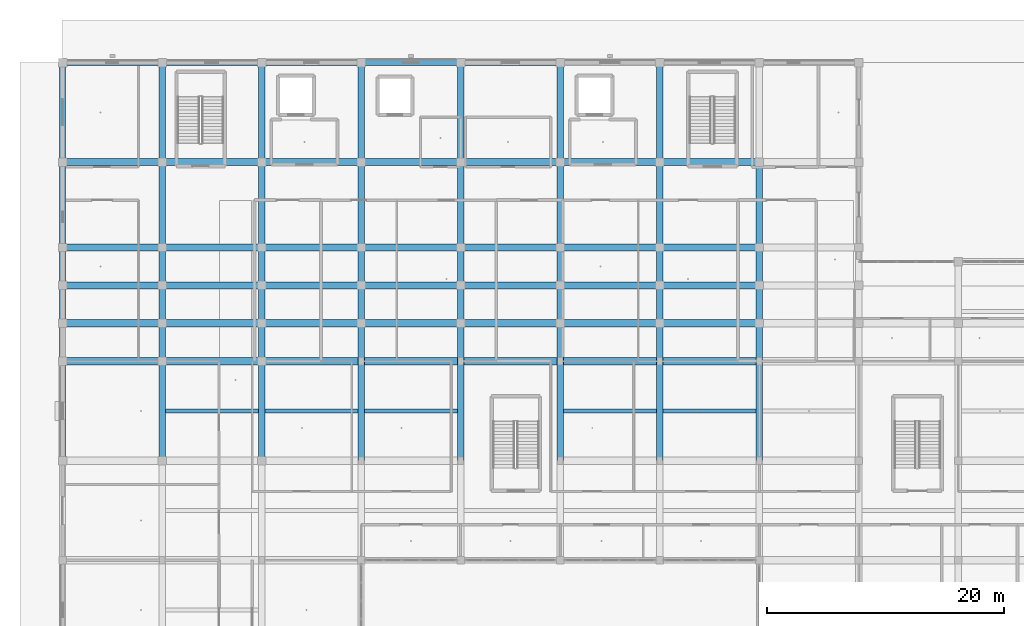
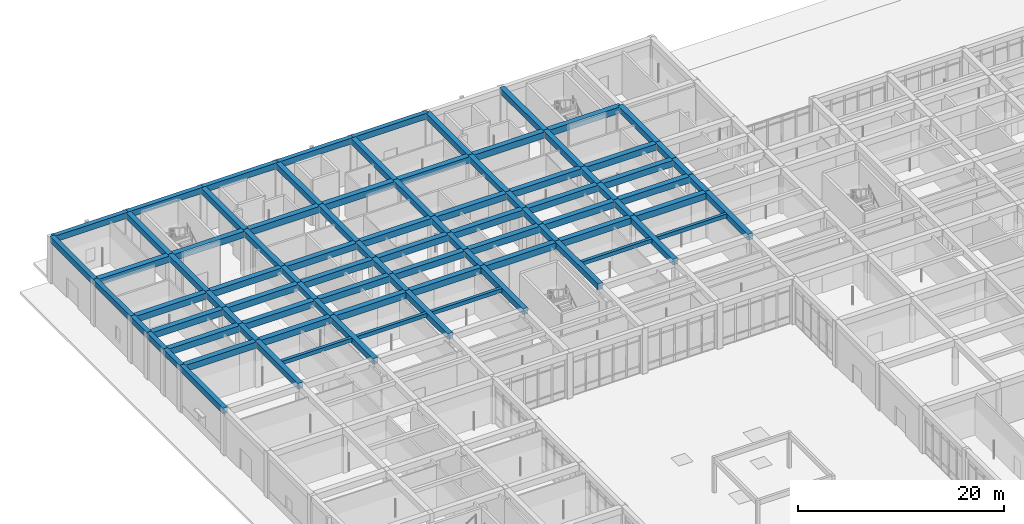
# One storey, part 29 of 167: 92 beams.
"""IFC4 building model written with IfcOpenShell, lengths in metres."""

import ifcopenshell
import ifcopenshell.guid

model = None  # the IFC model being written
_history = None  # IfcOwnerHistory: only IFC2X3 demands one
_inside = {}  # id of a spatial element -> (the spatial element, [elements in it])
_under = {}  # id of a project, library or spatial element -> (it, [spatial elements below it])
_declared = {}  # id of a project -> (the project, [libraries it declares])
_typed = {}  # id of a type object -> (the type object, [elements of that type])
_made_of = {}  # id of a material, layer set ... -> (it, [elements and type objects made of it])


def new_model(schema):
    """Start an empty IFC model of exactly this schema.

    Asked for "IFC4X3", IfcOpenShell would pick the latest addendum, in which some entities
    have other attributes; the version numbers below select the first issue.
    IFC2X3 requires an IfcOwnerHistory on every rooted entity: one is made here for all.
    """
    global model, _history
    if schema == "IFC4X3":
        model = ifcopenshell.file(schema_version=(4, 3, 0, 0))
    else:
        model = ifcopenshell.file(schema=schema)
    _inside.clear()
    _under.clear()
    _declared.clear()
    _typed.clear()
    _made_of.clear()
    _history = None
    if model.schema == "IFC2X3":
        org = make("IfcOrganization", Name="unknown")
        user = make(
            "IfcPersonAndOrganization",
            ThePerson=make("IfcPerson", FamilyName="unknown"),
            TheOrganization=org,
        )
        app = make(
            "IfcApplication",
            ApplicationDeveloper=org,
            Version="unknown",
            ApplicationFullName="unknown",
            ApplicationIdentifier="unknown",
        )
        _history = make(
            "IfcOwnerHistory",
            OwningUser=user,
            OwningApplication=app,
            ChangeAction="ADDED",
            CreationDate=0,
        )
    return model


def make(cls, **values):
    """One entity of the class cls with the attributes given. An attribute that is None is left unset."""
    return model.create_entity(
        cls, **{name: value for name, value in values.items() if value is not None}
    )


def rooted(cls, **values):
    """An entity with a GlobalId (a new one), such as an element, a storey or a relation."""
    return make(cls, GlobalId=ifcopenshell.guid.new(), OwnerHistory=_history, **values)


def si_unit(unit_type, name, prefix=None):
    """IfcSIUnit, for example si_unit("LENGTHUNIT", "METRE", prefix="MILLI")."""
    return make("IfcSIUnit", UnitType=unit_type, Prefix=prefix, Name=name)


def assignment(units):
    """IfcUnitAssignment: the units of a project."""
    return None if units is None else make("IfcUnitAssignment", Units=units)


def point(xyz):
    """IfcCartesianPoint."""
    return None if xyz is None else make("IfcCartesianPoint", Coordinates=xyz)


def direction(xyz):
    """IfcDirection."""
    return None if xyz is None else make("IfcDirection", DirectionRatios=xyz)


def frame(location, z_axis=None, x_axis=None):
    """IfcAxis2Placement3D, a coordinate frame: its origin and axes. An axis left out is left unset."""
    return make(
        "IfcAxis2Placement3D",
        Location=point(location),
        Axis=direction(z_axis),
        RefDirection=direction(x_axis),
    )


def frame_2d(location, x_axis=None):
    """IfcAxis2Placement2D, a coordinate frame in the plane: its origin and x axis."""
    return make(
        "IfcAxis2Placement2D", Location=point(location), RefDirection=direction(x_axis)
    )


def origin():
    """The frame at (0, 0, 0) with its axes left unset."""
    return frame((0.0, 0.0, 0.0))


def origin_2d():
    """The frame at (0, 0) in the plane with its x axis left unset."""
    return frame_2d((0.0, 0.0))


def place(relative_to, where):
    """IfcLocalPlacement: puts the frame where relative to a parent placement (None: the world)."""
    return make(
        "IfcLocalPlacement", PlacementRelTo=relative_to, RelativePlacement=where
    )


def context(
    kind, dimensions, precision=None, world=None, true_north=None, identifier=None
):
    """IfcGeometricRepresentationContext, for example the 3D "Model" context."""
    return make(
        "IfcGeometricRepresentationContext",
        ContextIdentifier=identifier,
        ContextType=kind,
        CoordinateSpaceDimension=dimensions,
        Precision=precision,
        WorldCoordinateSystem=world,
        TrueNorth=true_north,
    )


def subcontext(parent, identifier, kind, view, scale=None):
    """IfcGeometricRepresentationSubContext, for example "Body" below "Model"."""
    return make(
        "IfcGeometricRepresentationSubContext",
        ContextIdentifier=identifier,
        ContextType=kind,
        ParentContext=parent,
        TargetScale=scale,
        TargetView=view,
    )


def project(units=None, contexts=None):
    """IfcProject with its units and contexts."""
    return rooted(
        "IfcProject",
        Name="project",
        RepresentationContexts=contexts,
        UnitsInContext=assignment(units),
    )


def spatial(cls, under=None, at=None, **own):
    """A site, building, storey or space (cls), placed at a placement, below another one or the project."""
    s = rooted(cls, ObjectPlacement=at, **own)
    if under is not None:
        _under.setdefault(under.id(), (under, []))[1].append(s)
    return s


def profile(cls, at=None, kind="AREA", **sizes):
    """A parametric profile (cls). Its sizes go by their IFC names, for example OverallWidth=200.0."""
    return make(cls, ProfileType=kind, Position=at, **sizes)


def rectangle(**sizes):
    """IfcRectangleProfileDef."""
    return profile("IfcRectangleProfileDef", **sizes)


def extrude(swept, where, along, depth):
    """IfcExtrudedAreaSolid: the profile swept, set in the frame where, extruded along a direction by depth."""
    return make(
        "IfcExtrudedAreaSolid",
        SweptArea=swept,
        Position=where,
        ExtrudedDirection=direction(along),
        Depth=depth,
    )


def shape(context_of_items, identifier, shape_type, items):
    """IfcShapeRepresentation: the items that make up one representation, for example the "Body"."""
    return make(
        "IfcShapeRepresentation",
        ContextOfItems=context_of_items,
        RepresentationIdentifier=identifier,
        RepresentationType=shape_type,
        Items=items,
    )


def material(Name=None, Category=None):
    """IfcMaterial."""
    return make("IfcMaterial", Name=Name, Category=Category)


def material_profile(
    of_material, cross_section, Name=None, Category=None, Priority=None
):
    """IfcMaterialProfile: a cross section and its material."""
    return make(
        "IfcMaterialProfile",
        Name=Name,
        Material=of_material,
        Profile=cross_section,
        Priority=Priority,
        Category=Category,
    )


def profile_set(profiles, Name=None, composite=None):
    """IfcMaterialProfileSet."""
    return make(
        "IfcMaterialProfileSet",
        Name=Name,
        MaterialProfiles=profiles,
        CompositeProfile=composite,
    )


def made_of(thing, what):
    """Note that an element or type object is made of a material, layer set ...; save() writes the relation."""
    if what is not None:
        _made_of.setdefault(what.id(), (what, []))[1].append(thing)
    return thing


def type_object(cls, material=None, **own):
    """A type object (cls), such as IfcWallType, which elements share."""
    return made_of(rooted(cls, **own), material)


def element(
    cls,
    number,
    at=None,
    inside=None,
    cuts=None,
    type_object=None,
    material=None,
    context=None,
    identifier="Body",
    shape_type=None,
    held_by="IfcProductDefinitionShape",
    body=None,
    shapes=None,
    **own,
):
    """One element of the class cls, such as IfcWall. Its Tag is "e" and its number.

    at: its placement. inside: the storey or other place that contains it. cuts: it is an
    opening in that element (IfcRelVoidsElement). A single representation is given by context,
    identifier, shape_type and body (its items); several are given by shapes. held_by: the class
    of the entity that holds the representations. save() writes the other relations.
    """
    e = rooted(cls, Tag="e%d" % number, ObjectPlacement=at, **own)
    if body is not None:
        shapes = [shape(context, identifier, shape_type, body)]
    if shapes is not None:
        e.Representation = make(held_by, Representations=shapes)
    if inside is not None:
        _inside.setdefault(inside.id(), (inside, []))[1].append(e)
    if cuts is not None:
        rooted(
            "IfcRelVoidsElement", RelatingBuildingElement=cuts, RelatedOpeningElement=e
        )
    if type_object is not None:
        _typed.setdefault(type_object.id(), (type_object, []))[1].append(e)
    return made_of(e, material)


def aggregate(whole, parts):
    """IfcRelAggregates: a whole, such as a stair, and the parts it consists of."""
    return rooted("IfcRelAggregates", RelatingObject=whole, RelatedObjects=parts)


def save(model, path):
    """Write the relations noted so far, then the file.

    IfcRelAggregates (storeys below a building ...), IfcRelContainedInSpatialStructure (elements
    in a storey), IfcRelDefinesByType, IfcRelAssociatesMaterial and IfcRelDeclares: one each for
    every whole, place, type object, material and project.
    """
    for whole, parts in _under.values():
        aggregate(whole, parts)
    for where, things in _inside.values():
        rooted(
            "IfcRelContainedInSpatialStructure",
            RelatedElements=things,
            RelatingStructure=where,
        )
    for kind, things in _typed.values():
        rooted("IfcRelDefinesByType", RelatedObjects=things, RelatingType=kind)
    for what, things in _made_of.values():
        rooted("IfcRelAssociatesMaterial", RelatedObjects=things, RelatingMaterial=what)
    for by, libraries in _declared.values():
        rooted("IfcRelDeclares", RelatingContext=by, RelatedDefinitions=libraries)
    model.write(path)


model = new_model("IFC4")

# Units and contexts
model_context = context("Model", 3, precision=1e-05, world=origin(), true_north=direction((0.0, 1.0)))
body_context = subcontext(model_context, "Body", "Model", "MODEL_VIEW")
ifc_project = project(units=[si_unit("LENGTHUNIT", "METRE"), si_unit("AREAUNIT", "SQUARE_METRE"), si_unit("VOLUMEUNIT", "CUBIC_METRE"), si_unit("PLANEANGLEUNIT", "RADIAN"), si_unit("MASSUNIT", "GRAM", prefix="KILO")], contexts=[model_context])

# Site, building, storey
site_placement = place(None, origin())
site = spatial("IfcSite", under=ifc_project, at=site_placement, CompositionType="ELEMENT")
building_placement = place(site_placement, origin())
building = spatial("IfcBuilding", under=site, at=building_placement, Name="Varncliffe General Hospital", CompositionType="ELEMENT")
storey_placement = place(building_placement, origin())
storey = spatial("IfcBuildingStorey", under=building, at=storey_placement, Name="L00", CompositionType="ELEMENT", Elevation=0.0)

# Beams
ifc_material = material(Name="Concrete C35/45 (CSA A23.1 35 MPa)", Category="concrete")
ifc_material_profile_1 = material_profile(ifc_material, rectangle(XDim=0.60009765625, YDim=0.75, at=origin_2d()), Name="RC 600x750")
ifc_profile_set_1 = profile_set([ifc_material_profile_1], Name="Concrete C35/45 (CSA A23.1 35 MPa)")
beam_type_1 = type_object("IfcBeamType", Name="Beam B23 (Int RC 600x750)", PredefinedType="BEAM", material=ifc_profile_set_1)
beam_1_placement = place(storey_placement, frame((0.0, 99.60009765625, 5.02490234375), z_axis=(1.0, 0.0, 0.0), x_axis=(0.0, 1.0, 0.0)))
element("IfcBeam", 1, at=beam_1_placement, inside=storey, type_object=beam_type_1, Name="L00 Primary Beam B23-150", PredefinedType="BEAM", context=body_context, shape_type="SweptSolid", body=[
    extrude(rectangle(XDim=0.60009765625, YDim=0.75, at=origin_2d()), origin(), (0.0, 0.0, 1.0), 8.39990234375),
])
beam_2_placement = place(storey_placement, frame((8.39990234375, 99.60009765625, 5.02490234375), z_axis=(1.0, 0.0, 0.0), x_axis=(0.0, 1.0, 0.0)))
element("IfcBeam", 2, at=beam_2_placement, inside=storey, type_object=beam_type_1, Name="L00 Primary Beam B23-151", PredefinedType="BEAM", context=body_context, shape_type="SweptSolid", body=[
    extrude(rectangle(XDim=0.60009765625, YDim=0.75, at=origin_2d()), origin(), (0.0, 0.0, 1.0), 8.400146484375),
])
beam_3_placement = place(storey_placement, frame((16.800048828125, 99.60009765625, 5.02490234375), z_axis=(1.0, 0.0, 0.0), x_axis=(0.0, 1.0, 0.0)))
element("IfcBeam", 3, at=beam_3_placement, inside=storey, type_object=beam_type_1, Name="L00 Primary Beam B23-152", PredefinedType="BEAM", context=body_context, shape_type="SweptSolid", body=[
    extrude(rectangle(XDim=0.60009765625, YDim=0.75, at=origin_2d()), origin(), (0.0, 0.0, 1.0), 8.39990234375),
])
beam_4_placement = place(storey_placement, frame((25.199951171875, 99.60009765625, 5.02490234375), z_axis=(1.0, 0.0, 0.0), x_axis=(0.0, 1.0, 0.0)))
element("IfcBeam", 4, at=beam_4_placement, inside=storey, type_object=beam_type_1, Name="L00 Primary Beam B23-153", PredefinedType="BEAM", context=body_context, shape_type="SweptSolid", body=[
    extrude(rectangle(XDim=0.60009765625, YDim=0.75, at=origin_2d()), origin(), (0.0, 0.0, 1.0), 8.400146484375),
])
for number, where, z_axis, x_axis, name in (
    (5, (33.60009765625, 99.60009765625, 5.02490234375), (1.0, 0.0, 0.0), (0.0, 1.0, 0.0), "L00 Primary Beam B23-154"),
    (6, (42.0, 99.60009765625, 5.02490234375), (1.0, 0.0, 0.0), (0.0, 1.0, 0.0), "L00 Primary Beam B23-155"),
):
    element("IfcBeam", number, at=place(storey_placement, frame(where, z_axis=z_axis, x_axis=x_axis)), inside=storey, type_object=beam_type_1, Name=name, PredefinedType="BEAM", context=body_context, shape_type="SweptSolid", body=[
        extrude(rectangle(XDim=0.60009765625, YDim=0.75, at=origin_2d()), origin(), (0.0, 0.0, 1.0), 8.39990234375),
    ])
beam_5_placement = place(storey_placement, frame((50.39990234375, 99.60009765625, 5.02490234375), z_axis=(1.0, 0.0, 0.0), x_axis=(0.0, 1.0, 0.0)))
element("IfcBeam", 7, at=beam_5_placement, inside=storey, type_object=beam_type_1, Name="L00 Primary Beam B23-156", PredefinedType="BEAM", context=body_context, shape_type="SweptSolid", body=[
    extrude(rectangle(XDim=0.60009765625, YDim=0.75, at=origin_2d()), origin(), (0.0, 0.0, 1.0), 8.400146484375),
])
beam_6_placement = place(storey_placement, frame((0.0, 102.800048828125, 5.02490234375), z_axis=(1.0, 0.0, 0.0), x_axis=(0.0, 1.0, 0.0)))
element("IfcBeam", 8, at=beam_6_placement, inside=storey, type_object=beam_type_1, Name="L00 Primary Beam B23-171", PredefinedType="BEAM", context=body_context, shape_type="SweptSolid", body=[
    extrude(rectangle(XDim=0.60009765625, YDim=0.75, at=origin_2d()), origin(), (0.0, 0.0, 1.0), 8.39990234375),
])
beam_7_placement = place(storey_placement, frame((8.39990234375, 102.800048828125, 5.02490234375), z_axis=(1.0, 0.0, 0.0), x_axis=(0.0, 1.0, 0.0)))
element("IfcBeam", 9, at=beam_7_placement, inside=storey, type_object=beam_type_1, Name="L00 Primary Beam B23-172", PredefinedType="BEAM", context=body_context, shape_type="SweptSolid", body=[
    extrude(rectangle(XDim=0.60009765625, YDim=0.75, at=origin_2d()), origin(), (0.0, 0.0, 1.0), 8.400146484375),
])
beam_8_placement = place(storey_placement, frame((16.800048828125, 102.800048828125, 5.02490234375), z_axis=(1.0, 0.0, 0.0), x_axis=(0.0, 1.0, 0.0)))
element("IfcBeam", 10, at=beam_8_placement, inside=storey, type_object=beam_type_1, Name="L00 Primary Beam B23-173", PredefinedType="BEAM", context=body_context, shape_type="SweptSolid", body=[
    extrude(rectangle(XDim=0.60009765625, YDim=0.75, at=origin_2d()), origin(), (0.0, 0.0, 1.0), 8.39990234375),
])
beam_9_placement = place(storey_placement, frame((25.199951171875, 102.800048828125, 5.02490234375), z_axis=(1.0, 0.0, 0.0), x_axis=(0.0, 1.0, 0.0)))
element("IfcBeam", 11, at=beam_9_placement, inside=storey, type_object=beam_type_1, Name="L00 Primary Beam B23-174", PredefinedType="BEAM", context=body_context, shape_type="SweptSolid", body=[
    extrude(rectangle(XDim=0.60009765625, YDim=0.75, at=origin_2d()), origin(), (0.0, 0.0, 1.0), 8.400146484375),
])
for number, where, z_axis, x_axis, name in (
    (12, (33.60009765625, 102.800048828125, 5.02490234375), (1.0, 0.0, 0.0), (0.0, 1.0, 0.0), "L00 Primary Beam B23-175"),
    (13, (42.0, 102.800048828125, 5.02490234375), (1.0, 0.0, 0.0), (0.0, 1.0, 0.0), "L00 Primary Beam B23-176"),
):
    element("IfcBeam", number, at=place(storey_placement, frame(where, z_axis=z_axis, x_axis=x_axis)), inside=storey, type_object=beam_type_1, Name=name, PredefinedType="BEAM", context=body_context, shape_type="SweptSolid", body=[
        extrude(rectangle(XDim=0.60009765625, YDim=0.75, at=origin_2d()), origin(), (0.0, 0.0, 1.0), 8.39990234375),
    ])
beam_10_placement = place(storey_placement, frame((50.39990234375, 102.800048828125, 5.02490234375), z_axis=(1.0, 0.0, 0.0), x_axis=(0.0, 1.0, 0.0)))
element("IfcBeam", 14, at=beam_10_placement, inside=storey, type_object=beam_type_1, Name="L00 Primary Beam B23-177", PredefinedType="BEAM", context=body_context, shape_type="SweptSolid", body=[
    extrude(rectangle(XDim=0.60009765625, YDim=0.75, at=origin_2d()), origin(), (0.0, 0.0, 1.0), 8.400146484375),
])
beam_11_placement = place(storey_placement, frame((0.0, 106.0, 5.02490234375), z_axis=(1.0, 0.0, 0.0), x_axis=(0.0, 1.0, 0.0)))
element("IfcBeam", 15, at=beam_11_placement, inside=storey, type_object=beam_type_1, Name="L00 Primary Beam B23-192", PredefinedType="BEAM", context=body_context, shape_type="SweptSolid", body=[
    extrude(rectangle(XDim=0.60009765625, YDim=0.75, at=origin_2d()), origin(), (0.0, 0.0, 1.0), 8.39990234375),
])
beam_12_placement = place(storey_placement, frame((8.39990234375, 106.0, 5.02490234375), z_axis=(1.0, 0.0, 0.0), x_axis=(0.0, 1.0, 0.0)))
element("IfcBeam", 16, at=beam_12_placement, inside=storey, type_object=beam_type_1, Name="L00 Primary Beam B23-193", PredefinedType="BEAM", context=body_context, shape_type="SweptSolid", body=[
    extrude(rectangle(XDim=0.60009765625, YDim=0.75, at=origin_2d()), origin(), (0.0, 0.0, 1.0), 8.400146484375),
])
beam_13_placement = place(storey_placement, frame((16.800048828125, 106.0, 5.02490234375), z_axis=(1.0, 0.0, 0.0), x_axis=(0.0, 1.0, 0.0)))
element("IfcBeam", 17, at=beam_13_placement, inside=storey, type_object=beam_type_1, Name="L00 Primary Beam B23-194", PredefinedType="BEAM", context=body_context, shape_type="SweptSolid", body=[
    extrude(rectangle(XDim=0.60009765625, YDim=0.75, at=origin_2d()), origin(), (0.0, 0.0, 1.0), 8.39990234375),
])
beam_14_placement = place(storey_placement, frame((25.199951171875, 106.0, 5.02490234375), z_axis=(1.0, 0.0, 0.0), x_axis=(0.0, 1.0, 0.0)))
element("IfcBeam", 18, at=beam_14_placement, inside=storey, type_object=beam_type_1, Name="L00 Primary Beam B23-195", PredefinedType="BEAM", context=body_context, shape_type="SweptSolid", body=[
    extrude(rectangle(XDim=0.60009765625, YDim=0.75, at=origin_2d()), origin(), (0.0, 0.0, 1.0), 8.400146484375),
])
for number, where, z_axis, x_axis, name in (
    (19, (33.60009765625, 106.0, 5.02490234375), (1.0, 0.0, 0.0), (0.0, 1.0, 0.0), "L00 Primary Beam B23-196"),
    (20, (42.0, 106.0, 5.02490234375), (1.0, 0.0, 0.0), (0.0, 1.0, 0.0), "L00 Primary Beam B23-197"),
):
    element("IfcBeam", number, at=place(storey_placement, frame(where, z_axis=z_axis, x_axis=x_axis)), inside=storey, type_object=beam_type_1, Name=name, PredefinedType="BEAM", context=body_context, shape_type="SweptSolid", body=[
        extrude(rectangle(XDim=0.60009765625, YDim=0.75, at=origin_2d()), origin(), (0.0, 0.0, 1.0), 8.39990234375),
    ])
beam_15_placement = place(storey_placement, frame((50.39990234375, 106.0, 5.02490234375), z_axis=(1.0, 0.0, 0.0), x_axis=(0.0, 1.0, 0.0)))
element("IfcBeam", 21, at=beam_15_placement, inside=storey, type_object=beam_type_1, Name="L00 Primary Beam B23-198", PredefinedType="BEAM", context=body_context, shape_type="SweptSolid", body=[
    extrude(rectangle(XDim=0.60009765625, YDim=0.75, at=origin_2d()), origin(), (0.0, 0.0, 1.0), 8.400146484375),
])
beam_16_placement = place(storey_placement, frame((0.0, 109.199951171875, 5.02490234375), z_axis=(1.0, 0.0, 0.0), x_axis=(0.0, 1.0, 0.0)))
element("IfcBeam", 22, at=beam_16_placement, inside=storey, type_object=beam_type_1, Name="L00 Primary Beam B23-211", PredefinedType="BEAM", context=body_context, shape_type="SweptSolid", body=[
    extrude(rectangle(XDim=0.60009765625, YDim=0.75, at=origin_2d()), origin(), (0.0, 0.0, 1.0), 8.39990234375),
])
beam_17_placement = place(storey_placement, frame((8.39990234375, 109.199951171875, 5.02490234375), z_axis=(1.0, 0.0, 0.0), x_axis=(0.0, 1.0, 0.0)))
element("IfcBeam", 23, at=beam_17_placement, inside=storey, type_object=beam_type_1, Name="L00 Primary Beam B23-212", PredefinedType="BEAM", context=body_context, shape_type="SweptSolid", body=[
    extrude(rectangle(XDim=0.60009765625, YDim=0.75, at=origin_2d()), origin(), (0.0, 0.0, 1.0), 8.400146484375),
])
beam_18_placement = place(storey_placement, frame((16.800048828125, 109.199951171875, 5.02490234375), z_axis=(1.0, 0.0, 0.0), x_axis=(0.0, 1.0, 0.0)))
element("IfcBeam", 24, at=beam_18_placement, inside=storey, type_object=beam_type_1, Name="L00 Primary Beam B23-213", PredefinedType="BEAM", context=body_context, shape_type="SweptSolid", body=[
    extrude(rectangle(XDim=0.60009765625, YDim=0.75, at=origin_2d()), origin(), (0.0, 0.0, 1.0), 8.39990234375),
])
beam_19_placement = place(storey_placement, frame((25.199951171875, 109.199951171875, 5.02490234375), z_axis=(1.0, 0.0, 0.0), x_axis=(0.0, 1.0, 0.0)))
element("IfcBeam", 25, at=beam_19_placement, inside=storey, type_object=beam_type_1, Name="L00 Primary Beam B23-214", PredefinedType="BEAM", context=body_context, shape_type="SweptSolid", body=[
    extrude(rectangle(XDim=0.60009765625, YDim=0.75, at=origin_2d()), origin(), (0.0, 0.0, 1.0), 8.400146484375),
])
for number, where, z_axis, x_axis, name in (
    (26, (33.60009765625, 109.199951171875, 5.02490234375), (1.0, 0.0, 0.0), (0.0, 1.0, 0.0), "L00 Primary Beam B23-215"),
    (27, (42.0, 109.199951171875, 5.02490234375), (1.0, 0.0, 0.0), (0.0, 1.0, 0.0), "L00 Primary Beam B23-216"),
):
    element("IfcBeam", number, at=place(storey_placement, frame(where, z_axis=z_axis, x_axis=x_axis)), inside=storey, type_object=beam_type_1, Name=name, PredefinedType="BEAM", context=body_context, shape_type="SweptSolid", body=[
        extrude(rectangle(XDim=0.60009765625, YDim=0.75, at=origin_2d()), origin(), (0.0, 0.0, 1.0), 8.39990234375),
    ])
beam_20_placement = place(storey_placement, frame((50.39990234375, 109.199951171875, 5.02490234375), z_axis=(1.0, 0.0, 0.0), x_axis=(0.0, 1.0, 0.0)))
element("IfcBeam", 28, at=beam_20_placement, inside=storey, type_object=beam_type_1, Name="L00 Primary Beam B23-217", PredefinedType="BEAM", context=body_context, shape_type="SweptSolid", body=[
    extrude(rectangle(XDim=0.60009765625, YDim=0.75, at=origin_2d()), origin(), (0.0, 0.0, 1.0), 8.400146484375),
])
beam_21_placement = place(storey_placement, frame((0.0, 116.39990234375, 5.02490234375), z_axis=(1.0, 0.0, 0.0), x_axis=(0.0, 1.0, 0.0)))
element("IfcBeam", 29, at=beam_21_placement, inside=storey, type_object=beam_type_1, Name="L00 Primary Beam B23-227", PredefinedType="BEAM", context=body_context, shape_type="SweptSolid", body=[
    extrude(rectangle(XDim=0.60009765625, YDim=0.75, at=origin_2d()), origin(), (0.0, 0.0, 1.0), 8.39990234375),
])
beam_22_placement = place(storey_placement, frame((8.39990234375, 116.39990234375, 5.02490234375), z_axis=(1.0, 0.0, 0.0), x_axis=(0.0, 1.0, 0.0)))
element("IfcBeam", 30, at=beam_22_placement, inside=storey, type_object=beam_type_1, Name="L00 Primary Beam B23-228", PredefinedType="BEAM", context=body_context, shape_type="SweptSolid", body=[
    extrude(rectangle(XDim=0.60009765625, YDim=0.75, at=origin_2d()), origin(), (0.0, 0.0, 1.0), 8.400146484375),
])
beam_23_placement = place(storey_placement, frame((16.800048828125, 116.39990234375, 5.02490234375), z_axis=(1.0, 0.0, 0.0), x_axis=(0.0, 1.0, 0.0)))
element("IfcBeam", 31, at=beam_23_placement, inside=storey, type_object=beam_type_1, Name="L00 Primary Beam B23-229", PredefinedType="BEAM", context=body_context, shape_type="SweptSolid", body=[
    extrude(rectangle(XDim=0.60009765625, YDim=0.75, at=origin_2d()), origin(), (0.0, 0.0, 1.0), 8.39990234375),
])
beam_24_placement = place(storey_placement, frame((25.199951171875, 116.39990234375, 5.02490234375), z_axis=(1.0, 0.0, 0.0), x_axis=(0.0, 1.0, 0.0)))
element("IfcBeam", 32, at=beam_24_placement, inside=storey, type_object=beam_type_1, Name="L00 Primary Beam B23-230", PredefinedType="BEAM", context=body_context, shape_type="SweptSolid", body=[
    extrude(rectangle(XDim=0.60009765625, YDim=0.75, at=origin_2d()), origin(), (0.0, 0.0, 1.0), 8.400146484375),
])
for number, where, z_axis, x_axis, name in (
    (33, (33.60009765625, 116.39990234375, 5.02490234375), (1.0, 0.0, 0.0), (0.0, 1.0, 0.0), "L00 Primary Beam B23-231"),
    (34, (42.0, 116.39990234375, 5.02490234375), (1.0, 0.0, 0.0), (0.0, 1.0, 0.0), "L00 Primary Beam B23-232"),
):
    element("IfcBeam", number, at=place(storey_placement, frame(where, z_axis=z_axis, x_axis=x_axis)), inside=storey, type_object=beam_type_1, Name=name, PredefinedType="BEAM", context=body_context, shape_type="SweptSolid", body=[
        extrude(rectangle(XDim=0.60009765625, YDim=0.75, at=origin_2d()), origin(), (0.0, 0.0, 1.0), 8.39990234375),
    ])
beam_25_placement = place(storey_placement, frame((50.39990234375, 116.39990234375, 5.02490234375), z_axis=(1.0, 0.0, 0.0), x_axis=(0.0, 1.0, 0.0)))
element("IfcBeam", 35, at=beam_25_placement, inside=storey, type_object=beam_type_1, Name="L00 Primary Beam B23-233", PredefinedType="BEAM", context=body_context, shape_type="SweptSolid", body=[
    extrude(rectangle(XDim=0.60009765625, YDim=0.75, at=origin_2d()), origin(), (0.0, 0.0, 1.0), 8.400146484375),
])
ifc_material_profile_2 = material_profile(ifc_material, rectangle(XDim=0.550048828125, YDim=0.699951171875, at=origin_2d()), Name="RC 550x700")
ifc_profile_set_2 = profile_set([ifc_material_profile_2], Name="Concrete C35/45 (CSA A23.1 35 MPa)")
beam_type_2 = type_object("IfcBeamType", Name="Beam B35 (Int RC 550x700)", PredefinedType="BEAM", material=ifc_profile_set_2)
beam_26_placement = place(storey_placement, frame((8.39990234375, 91.199951171875, 5.050048828125), z_axis=(0.0, 1.0, 0.0), x_axis=(-1.0, 0.0, 0.0)))
element("IfcBeam", 36, at=beam_26_placement, inside=storey, type_object=beam_type_2, Name="L00 Primary Beam B35-285", PredefinedType="BEAM", context=body_context, shape_type="SweptSolid", body=[
    extrude(rectangle(XDim=0.550048828125, YDim=0.699951171875, at=origin_2d()), origin(), (0.0, 0.0, 1.0), 8.400146484375),
])
for number, where, z_axis, x_axis, name in (
    (37, (8.39990234375, 99.60009765625, 5.050048828125), (0.0, 1.0, 0.0), (-1.0, 0.0, 0.0), "L00 Primary Beam B35-286"),
    (38, (8.39990234375, 102.800048828125, 5.050048828125), (0.0, 1.0, 0.0), (-1.0, 0.0, 0.0), "L00 Primary Beam B35-287"),
    (39, (8.39990234375, 106.0, 5.050048828125), (0.0, 1.0, 0.0), (-1.0, 0.0, 0.0), "L00 Primary Beam B35-288"),
):
    element("IfcBeam", number, at=place(storey_placement, frame(where, z_axis=z_axis, x_axis=x_axis)), inside=storey, type_object=beam_type_2, Name=name, PredefinedType="BEAM", context=body_context, shape_type="SweptSolid", body=[
        extrude(rectangle(XDim=0.550048828125, YDim=0.699951171875, at=origin_2d()), origin(), (0.0, 0.0, 1.0), 3.199951171875),
    ])
beam_27_placement = place(storey_placement, frame((8.39990234375, 109.199951171875, 5.050048828125), z_axis=(0.0, 1.0, 0.0), x_axis=(-1.0, 0.0, 0.0)))
element("IfcBeam", 40, at=beam_27_placement, inside=storey, type_object=beam_type_2, Name="L00 Primary Beam B35-289", PredefinedType="BEAM", context=body_context, shape_type="SweptSolid", body=[
    extrude(rectangle(XDim=0.550048828125, YDim=0.699951171875, at=origin_2d()), origin(), (0.0, 0.0, 1.0), 7.199951171875),
])
for number, where, z_axis, x_axis, name in (
    (41, (8.39990234375, 116.39990234375, 5.050048828125), (0.0, 1.0, 0.0), (-1.0, 0.0, 0.0), "L00 Primary Beam B35-290"),
    (42, (16.800048828125, 91.199951171875, 5.050048828125), (0.0, 1.0, 0.0), (-1.0, 0.0, 0.0), "L00 Primary Beam B35-302"),
):
    element("IfcBeam", number, at=place(storey_placement, frame(where, z_axis=z_axis, x_axis=x_axis)), inside=storey, type_object=beam_type_2, Name=name, PredefinedType="BEAM", context=body_context, shape_type="SweptSolid", body=[
        extrude(rectangle(XDim=0.550048828125, YDim=0.699951171875, at=origin_2d()), origin(), (0.0, 0.0, 1.0), 8.400146484375),
    ])
for number, where, z_axis, x_axis, name in (
    (43, (16.800048828125, 99.60009765625, 5.050048828125), (0.0, 1.0, 0.0), (-1.0, 0.0, 0.0), "L00 Primary Beam B35-303"),
    (44, (16.800048828125, 102.800048828125, 5.050048828125), (0.0, 1.0, 0.0), (-1.0, 0.0, 0.0), "L00 Primary Beam B35-304"),
    (45, (16.800048828125, 106.0, 5.050048828125), (0.0, 1.0, 0.0), (-1.0, 0.0, 0.0), "L00 Primary Beam B35-305"),
):
    element("IfcBeam", number, at=place(storey_placement, frame(where, z_axis=z_axis, x_axis=x_axis)), inside=storey, type_object=beam_type_2, Name=name, PredefinedType="BEAM", context=body_context, shape_type="SweptSolid", body=[
        extrude(rectangle(XDim=0.550048828125, YDim=0.699951171875, at=origin_2d()), origin(), (0.0, 0.0, 1.0), 3.199951171875),
    ])
beam_28_placement = place(storey_placement, frame((16.800048828125, 109.199951171875, 5.050048828125), z_axis=(0.0, 1.0, 0.0), x_axis=(-1.0, 0.0, 0.0)))
element("IfcBeam", 46, at=beam_28_placement, inside=storey, type_object=beam_type_2, Name="L00 Primary Beam B35-306", PredefinedType="BEAM", context=body_context, shape_type="SweptSolid", body=[
    extrude(rectangle(XDim=0.550048828125, YDim=0.699951171875, at=origin_2d()), origin(), (0.0, 0.0, 1.0), 7.199951171875),
])
for number, where, z_axis, x_axis, name in (
    (47, (16.800048828125, 116.39990234375, 5.050048828125), (0.0, 1.0, 0.0), (-1.0, 0.0, 0.0), "L00 Primary Beam B35-307"),
    (48, (25.199951171875, 91.199951171875, 5.050048828125), (0.0, 1.0, 0.0), (-1.0, 0.0, 0.0), "L00 Primary Beam B35-319"),
):
    element("IfcBeam", number, at=place(storey_placement, frame(where, z_axis=z_axis, x_axis=x_axis)), inside=storey, type_object=beam_type_2, Name=name, PredefinedType="BEAM", context=body_context, shape_type="SweptSolid", body=[
        extrude(rectangle(XDim=0.550048828125, YDim=0.699951171875, at=origin_2d()), origin(), (0.0, 0.0, 1.0), 8.400146484375),
    ])
for number, where, z_axis, x_axis, name in (
    (49, (25.199951171875, 99.60009765625, 5.050048828125), (0.0, 1.0, 0.0), (-1.0, 0.0, 0.0), "L00 Primary Beam B35-320"),
    (50, (25.199951171875, 102.800048828125, 5.050048828125), (0.0, 1.0, 0.0), (-1.0, 0.0, 0.0), "L00 Primary Beam B35-321"),
    (51, (25.199951171875, 106.0, 5.050048828125), (0.0, 1.0, 0.0), (-1.0, 0.0, 0.0), "L00 Primary Beam B35-322"),
):
    element("IfcBeam", number, at=place(storey_placement, frame(where, z_axis=z_axis, x_axis=x_axis)), inside=storey, type_object=beam_type_2, Name=name, PredefinedType="BEAM", context=body_context, shape_type="SweptSolid", body=[
        extrude(rectangle(XDim=0.550048828125, YDim=0.699951171875, at=origin_2d()), origin(), (0.0, 0.0, 1.0), 3.199951171875),
    ])
beam_29_placement = place(storey_placement, frame((25.199951171875, 109.199951171875, 5.050048828125), z_axis=(0.0, 1.0, 0.0), x_axis=(-1.0, 0.0, 0.0)))
element("IfcBeam", 52, at=beam_29_placement, inside=storey, type_object=beam_type_2, Name="L00 Primary Beam B35-323", PredefinedType="BEAM", context=body_context, shape_type="SweptSolid", body=[
    extrude(rectangle(XDim=0.550048828125, YDim=0.699951171875, at=origin_2d()), origin(), (0.0, 0.0, 1.0), 7.199951171875),
])
for number, where, z_axis, x_axis, name in (
    (53, (25.199951171875, 116.39990234375, 5.050048828125), (0.0, 1.0, 0.0), (-1.0, 0.0, 0.0), "L00 Primary Beam B35-324"),
    (54, (33.60009765625, 91.199951171875, 5.050048828125), (0.0, 1.0, 0.0), (-1.0, 0.0, 0.0), "L00 Primary Beam B35-328"),
):
    element("IfcBeam", number, at=place(storey_placement, frame(where, z_axis=z_axis, x_axis=x_axis)), inside=storey, type_object=beam_type_2, Name=name, PredefinedType="BEAM", context=body_context, shape_type="SweptSolid", body=[
        extrude(rectangle(XDim=0.550048828125, YDim=0.699951171875, at=origin_2d()), origin(), (0.0, 0.0, 1.0), 8.400146484375),
    ])
for number, where, z_axis, x_axis, name in (
    (55, (33.60009765625, 99.60009765625, 5.050048828125), (0.0, 1.0, 0.0), (-1.0, 0.0, 0.0), "L00 Primary Beam B35-329"),
    (56, (33.60009765625, 102.800048828125, 5.050048828125), (0.0, 1.0, 0.0), (-1.0, 0.0, 0.0), "L00 Primary Beam B35-330"),
    (57, (33.60009765625, 106.0, 5.050048828125), (0.0, 1.0, 0.0), (-1.0, 0.0, 0.0), "L00 Primary Beam B35-331"),
):
    element("IfcBeam", number, at=place(storey_placement, frame(where, z_axis=z_axis, x_axis=x_axis)), inside=storey, type_object=beam_type_2, Name=name, PredefinedType="BEAM", context=body_context, shape_type="SweptSolid", body=[
        extrude(rectangle(XDim=0.550048828125, YDim=0.699951171875, at=origin_2d()), origin(), (0.0, 0.0, 1.0), 3.199951171875),
    ])
beam_30_placement = place(storey_placement, frame((33.60009765625, 109.199951171875, 5.050048828125), z_axis=(0.0, 1.0, 0.0), x_axis=(-1.0, 0.0, 0.0)))
element("IfcBeam", 58, at=beam_30_placement, inside=storey, type_object=beam_type_2, Name="L00 Primary Beam B35-332", PredefinedType="BEAM", context=body_context, shape_type="SweptSolid", body=[
    extrude(rectangle(XDim=0.550048828125, YDim=0.699951171875, at=origin_2d()), origin(), (0.0, 0.0, 1.0), 7.199951171875),
])
for number, where, z_axis, x_axis, name in (
    (59, (33.60009765625, 116.39990234375, 5.050048828125), (0.0, 1.0, 0.0), (-1.0, 0.0, 0.0), "L00 Primary Beam B35-333"),
    (60, (42.0, 91.199951171875, 5.050048828125), (0.0, 1.0, 0.0), (-1.0, 0.0, 0.0), "L00 Primary Beam B35-337"),
):
    element("IfcBeam", number, at=place(storey_placement, frame(where, z_axis=z_axis, x_axis=x_axis)), inside=storey, type_object=beam_type_2, Name=name, PredefinedType="BEAM", context=body_context, shape_type="SweptSolid", body=[
        extrude(rectangle(XDim=0.550048828125, YDim=0.699951171875, at=origin_2d()), origin(), (0.0, 0.0, 1.0), 8.400146484375),
    ])
for number, where, z_axis, x_axis, name in (
    (61, (42.0, 99.60009765625, 5.050048828125), (0.0, 1.0, 0.0), (-1.0, 0.0, 0.0), "L00 Primary Beam B35-338"),
    (62, (42.0, 102.800048828125, 5.050048828125), (0.0, 1.0, 0.0), (-1.0, 0.0, 0.0), "L00 Primary Beam B35-339"),
    (63, (42.0, 106.0, 5.050048828125), (0.0, 1.0, 0.0), (-1.0, 0.0, 0.0), "L00 Primary Beam B35-340"),
):
    element("IfcBeam", number, at=place(storey_placement, frame(where, z_axis=z_axis, x_axis=x_axis)), inside=storey, type_object=beam_type_2, Name=name, PredefinedType="BEAM", context=body_context, shape_type="SweptSolid", body=[
        extrude(rectangle(XDim=0.550048828125, YDim=0.699951171875, at=origin_2d()), origin(), (0.0, 0.0, 1.0), 3.199951171875),
    ])
beam_31_placement = place(storey_placement, frame((42.0, 109.199951171875, 5.050048828125), z_axis=(0.0, 1.0, 0.0), x_axis=(-1.0, 0.0, 0.0)))
element("IfcBeam", 64, at=beam_31_placement, inside=storey, type_object=beam_type_2, Name="L00 Primary Beam B35-341", PredefinedType="BEAM", context=body_context, shape_type="SweptSolid", body=[
    extrude(rectangle(XDim=0.550048828125, YDim=0.699951171875, at=origin_2d()), origin(), (0.0, 0.0, 1.0), 7.199951171875),
])
for number, where, z_axis, x_axis, name in (
    (65, (42.0, 116.39990234375, 5.050048828125), (0.0, 1.0, 0.0), (-1.0, 0.0, 0.0), "L00 Primary Beam B35-342"),
    (66, (50.39990234375, 91.199951171875, 5.050048828125), (0.0, 1.0, 0.0), (-1.0, 0.0, 0.0), "L00 Primary Beam B35-346"),
):
    element("IfcBeam", number, at=place(storey_placement, frame(where, z_axis=z_axis, x_axis=x_axis)), inside=storey, type_object=beam_type_2, Name=name, PredefinedType="BEAM", context=body_context, shape_type="SweptSolid", body=[
        extrude(rectangle(XDim=0.550048828125, YDim=0.699951171875, at=origin_2d()), origin(), (0.0, 0.0, 1.0), 8.400146484375),
    ])
for number, where, z_axis, x_axis, name in (
    (67, (50.39990234375, 99.60009765625, 5.050048828125), (0.0, 1.0, 0.0), (-1.0, 0.0, 0.0), "L00 Primary Beam B35-347"),
    (68, (50.39990234375, 102.800048828125, 5.050048828125), (0.0, 1.0, 0.0), (-1.0, 0.0, 0.0), "L00 Primary Beam B35-348"),
    (69, (50.39990234375, 106.0, 5.050048828125), (0.0, 1.0, 0.0), (-1.0, 0.0, 0.0), "L00 Primary Beam B35-349"),
):
    element("IfcBeam", number, at=place(storey_placement, frame(where, z_axis=z_axis, x_axis=x_axis)), inside=storey, type_object=beam_type_2, Name=name, PredefinedType="BEAM", context=body_context, shape_type="SweptSolid", body=[
        extrude(rectangle(XDim=0.550048828125, YDim=0.699951171875, at=origin_2d()), origin(), (0.0, 0.0, 1.0), 3.199951171875),
    ])
beam_32_placement = place(storey_placement, frame((50.39990234375, 109.199951171875, 5.050048828125), z_axis=(0.0, 1.0, 0.0), x_axis=(-1.0, 0.0, 0.0)))
element("IfcBeam", 70, at=beam_32_placement, inside=storey, type_object=beam_type_2, Name="L00 Primary Beam B35-350", PredefinedType="BEAM", context=body_context, shape_type="SweptSolid", body=[
    extrude(rectangle(XDim=0.550048828125, YDim=0.699951171875, at=origin_2d()), origin(), (0.0, 0.0, 1.0), 7.199951171875),
])
for number, where, z_axis, x_axis, name in (
    (71, (50.39990234375, 116.39990234375, 5.050048828125), (0.0, 1.0, 0.0), (-1.0, 0.0, 0.0), "L00 Primary Beam B35-351"),
    (72, (58.800048828125, 91.199951171875, 5.050048828125), (0.0, 1.0, 0.0), (-1.0, 0.0, 0.0), "L00 Primary Beam B35-362"),
):
    element("IfcBeam", number, at=place(storey_placement, frame(where, z_axis=z_axis, x_axis=x_axis)), inside=storey, type_object=beam_type_2, Name=name, PredefinedType="BEAM", context=body_context, shape_type="SweptSolid", body=[
        extrude(rectangle(XDim=0.550048828125, YDim=0.699951171875, at=origin_2d()), origin(), (0.0, 0.0, 1.0), 8.400146484375),
    ])
for number, where, z_axis, x_axis, name in (
    (73, (58.800048828125, 99.60009765625, 5.050048828125), (0.0, 1.0, 0.0), (-1.0, 0.0, 0.0), "L00 Primary Beam B35-363"),
    (74, (58.800048828125, 102.800048828125, 5.050048828125), (0.0, 1.0, 0.0), (-1.0, 0.0, 0.0), "L00 Primary Beam B35-364"),
    (75, (58.800048828125, 106.0, 5.050048828125), (0.0, 1.0, 0.0), (-1.0, 0.0, 0.0), "L00 Primary Beam B35-365"),
):
    element("IfcBeam", number, at=place(storey_placement, frame(where, z_axis=z_axis, x_axis=x_axis)), inside=storey, type_object=beam_type_2, Name=name, PredefinedType="BEAM", context=body_context, shape_type="SweptSolid", body=[
        extrude(rectangle(XDim=0.550048828125, YDim=0.699951171875, at=origin_2d()), origin(), (0.0, 0.0, 1.0), 3.199951171875),
    ])
beam_33_placement = place(storey_placement, frame((58.800048828125, 109.199951171875, 5.050048828125), z_axis=(0.0, 1.0, 0.0), x_axis=(-1.0, 0.0, 0.0)))
element("IfcBeam", 76, at=beam_33_placement, inside=storey, type_object=beam_type_2, Name="L00 Primary Beam B35-366", PredefinedType="BEAM", context=body_context, shape_type="SweptSolid", body=[
    extrude(rectangle(XDim=0.550048828125, YDim=0.699951171875, at=origin_2d()), origin(), (0.0, 0.0, 1.0), 7.199951171875),
])
ifc_material_profile_3 = material_profile(ifc_material, rectangle(XDim=0.35009765625, YDim=0.449951171875, at=origin_2d()), Name="RC 350x450")
ifc_profile_set_3 = profile_set([ifc_material_profile_3], Name="Concrete C35/45 (CSA A23.1 35 MPa)")
beam_type_3 = type_object("IfcBeamType", Name="Joist J55 (Int RC 350x450)", PredefinedType="JOIST", material=ifc_profile_set_3)
for number, where, z_axis, x_axis, name in (
    (77, (8.673095703125, 95.39990234375, 5.175048828125), (1.0, 0.0, 0.0), (0.0, 1.0, 0.0), "L00 Secondary Floor Rib J55-9"),
    (78, (17.072998046875, 95.39990234375, 5.175048828125), (1.0, 0.0, 0.0), (0.0, 1.0, 0.0), "L00 Secondary Floor Rib J55-13"),
    (79, (25.472900390625, 95.39990234375, 5.175048828125), (1.0, 0.0, 0.0), (0.0, 1.0, 0.0), "L00 Secondary Floor Rib J55-17"),
    (80, (42.27294921875, 95.39990234375, 5.175048828125), (1.0, 0.0, 0.0), (0.0, 1.0, 0.0), "L00 Secondary Floor Rib J55-24"),
    (81, (50.673095703125, 95.39990234375, 5.175048828125), (1.0, 0.0, 0.0), (0.0, 1.0, 0.0), "L00 Secondary Floor Rib J55-28"),
):
    element("IfcBeam", number, at=place(storey_placement, frame(where, z_axis=z_axis, x_axis=x_axis)), inside=storey, type_object=beam_type_3, Name=name, PredefinedType="JOIST", context=body_context, shape_type="SweptSolid", body=[
        extrude(rectangle(XDim=0.35009765625, YDim=0.449951171875, at=origin_2d()), origin(), (0.0, 0.0, 1.0), 7.85400390625),
    ])
ifc_material_profile_4 = material_profile(ifc_material, rectangle(XDim=0.5, YDim=0.699951171875, at=origin_2d()), Name="RC 500x700")
ifc_profile_set_4 = profile_set([ifc_material_profile_4], Name="Concrete C35/45 (CSA A23.1 35 MPa)")
beam_type_4 = type_object("IfcBeamType", Name="Spandrel SP19 (Ext RC 500x700)", PredefinedType="SPANDREL", material=ifc_profile_set_4)
beam_34_placement = place(storey_placement, frame((0.0, 124.800048828125, 5.050048828125), z_axis=(1.0, 0.0, 0.0), x_axis=(0.0, 1.0, 0.0)))
element("IfcBeam", 82, at=beam_34_placement, inside=storey, type_object=beam_type_4, Name="L00 Spandrel Beam SP19-243", PredefinedType="SPANDREL", context=body_context, shape_type="SweptSolid", body=[
    extrude(rectangle(XDim=0.5, YDim=0.699951171875, at=origin_2d()), origin(), (0.0, 0.0, 1.0), 8.39990234375),
])
beam_35_placement = place(storey_placement, frame((8.39990234375, 124.800048828125, 5.050048828125), z_axis=(1.0, 0.0, 0.0), x_axis=(0.0, 1.0, 0.0)))
element("IfcBeam", 83, at=beam_35_placement, inside=storey, type_object=beam_type_4, Name="L00 Spandrel Beam SP19-244", PredefinedType="SPANDREL", context=body_context, shape_type="SweptSolid", body=[
    extrude(rectangle(XDim=0.5, YDim=0.699951171875, at=origin_2d()), origin(), (0.0, 0.0, 1.0), 8.400146484375),
])
beam_36_placement = place(storey_placement, frame((16.800048828125, 124.800048828125, 5.050048828125), z_axis=(1.0, 0.0, 0.0), x_axis=(0.0, 1.0, 0.0)))
element("IfcBeam", 84, at=beam_36_placement, inside=storey, type_object=beam_type_4, Name="L00 Spandrel Beam SP19-245", PredefinedType="SPANDREL", context=body_context, shape_type="SweptSolid", body=[
    extrude(rectangle(XDim=0.5, YDim=0.699951171875, at=origin_2d()), origin(), (0.0, 0.0, 1.0), 8.39990234375),
])
beam_37_placement = place(storey_placement, frame((25.199951171875, 124.800048828125, 5.050048828125), z_axis=(1.0, 0.0, 0.0), x_axis=(0.0, 1.0, 0.0)))
element("IfcBeam", 85, at=beam_37_placement, inside=storey, type_object=beam_type_4, Name="L00 Spandrel Beam SP19-246", PredefinedType="SPANDREL", context=body_context, shape_type="SweptSolid", body=[
    extrude(rectangle(XDim=0.5, YDim=0.699951171875, at=origin_2d()), origin(), (0.0, 0.0, 1.0), 8.400146484375),
])
beam_38_placement = place(storey_placement, frame((33.60009765625, 124.800048828125, 5.050048828125), z_axis=(1.0, 0.0, 0.0), x_axis=(0.0, 1.0, 0.0)))
element("IfcBeam", 86, at=beam_38_placement, inside=storey, type_object=beam_type_4, Name="L00 Spandrel Beam SP19-247", PredefinedType="SPANDREL", context=body_context, shape_type="SweptSolid", body=[
    extrude(rectangle(XDim=0.5, YDim=0.699951171875, at=origin_2d()), origin(), (0.0, 0.0, 1.0), 8.39990234375),
])
beam_39_placement = place(storey_placement, frame((0.0, 91.199951171875, 5.050048828125), z_axis=(0.0, 1.0, 0.0), x_axis=(-1.0, 0.0, 0.0)))
element("IfcBeam", 87, at=beam_39_placement, inside=storey, type_object=beam_type_4, Name="L00 Spandrel Beam SP19-270", PredefinedType="SPANDREL", context=body_context, shape_type="SweptSolid", body=[
    extrude(rectangle(XDim=0.5, YDim=0.699951171875, at=origin_2d()), origin(), (0.0, 0.0, 1.0), 8.400146484375),
])
for number, where, z_axis, x_axis, name in (
    (88, (0.0, 99.60009765625, 5.050048828125), (0.0, 1.0, 0.0), (-1.0, 0.0, 0.0), "L00 Spandrel Beam SP19-271"),
    (89, (0.0, 102.800048828125, 5.050048828125), (0.0, 1.0, 0.0), (-1.0, 0.0, 0.0), "L00 Spandrel Beam SP19-272"),
    (90, (0.0, 106.0, 5.050048828125), (0.0, 1.0, 0.0), (-1.0, 0.0, 0.0), "L00 Spandrel Beam SP19-273"),
):
    element("IfcBeam", number, at=place(storey_placement, frame(where, z_axis=z_axis, x_axis=x_axis)), inside=storey, type_object=beam_type_4, Name=name, PredefinedType="SPANDREL", context=body_context, shape_type="SweptSolid", body=[
        extrude(rectangle(XDim=0.5, YDim=0.699951171875, at=origin_2d()), origin(), (0.0, 0.0, 1.0), 3.199951171875),
    ])
beam_40_placement = place(storey_placement, frame((0.0, 109.199951171875, 5.050048828125), z_axis=(0.0, 1.0, 0.0), x_axis=(-1.0, 0.0, 0.0)))
element("IfcBeam", 91, at=beam_40_placement, inside=storey, type_object=beam_type_4, Name="L00 Spandrel Beam SP19-274", PredefinedType="SPANDREL", context=body_context, shape_type="SweptSolid", body=[
    extrude(rectangle(XDim=0.5, YDim=0.699951171875, at=origin_2d()), origin(), (0.0, 0.0, 1.0), 7.199951171875),
])
beam_41_placement = place(storey_placement, frame((0.0, 116.39990234375, 5.050048828125), z_axis=(0.0, 1.0, 0.0), x_axis=(-1.0, 0.0, 0.0)))
element("IfcBeam", 92, at=beam_41_placement, inside=storey, type_object=beam_type_4, Name="L00 Spandrel Beam SP19-275", PredefinedType="SPANDREL", context=body_context, shape_type="SweptSolid", body=[
    extrude(rectangle(XDim=0.5, YDim=0.699951171875, at=origin_2d()), origin(), (0.0, 0.0, 1.0), 8.400146484375),
])

save(model, "model.ifc")
